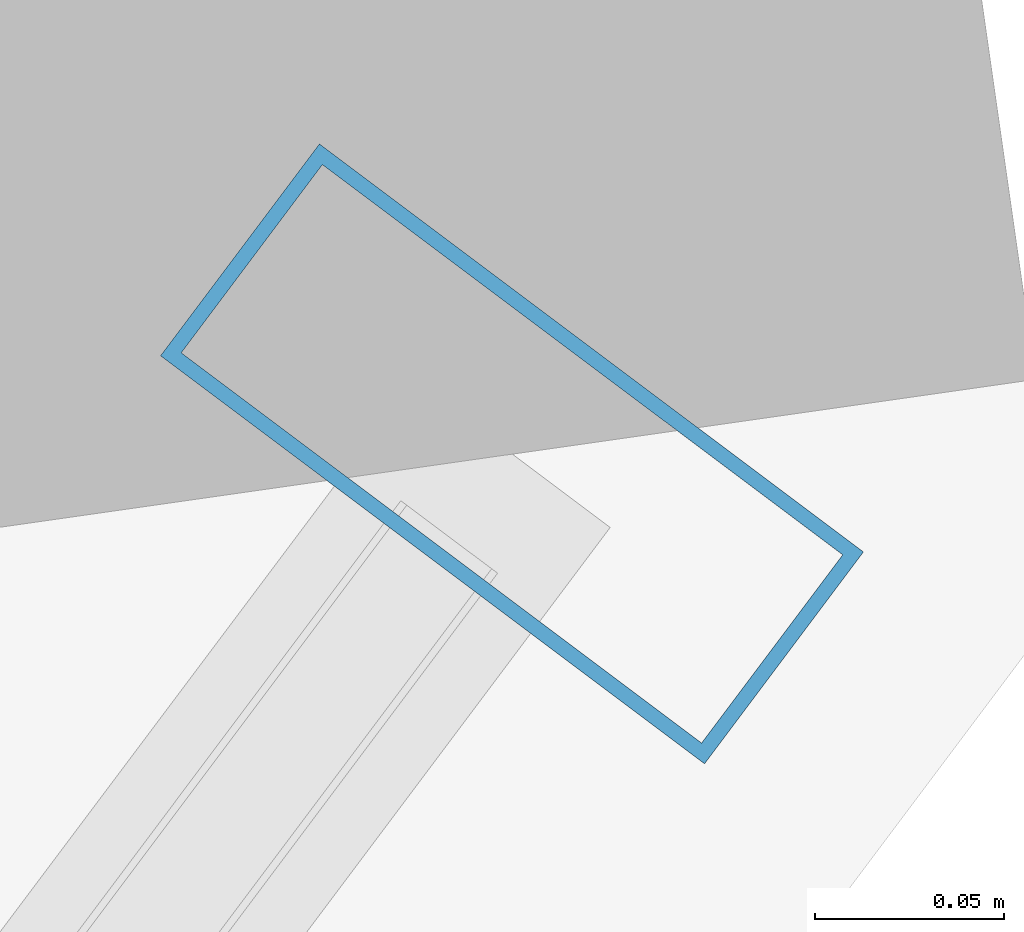
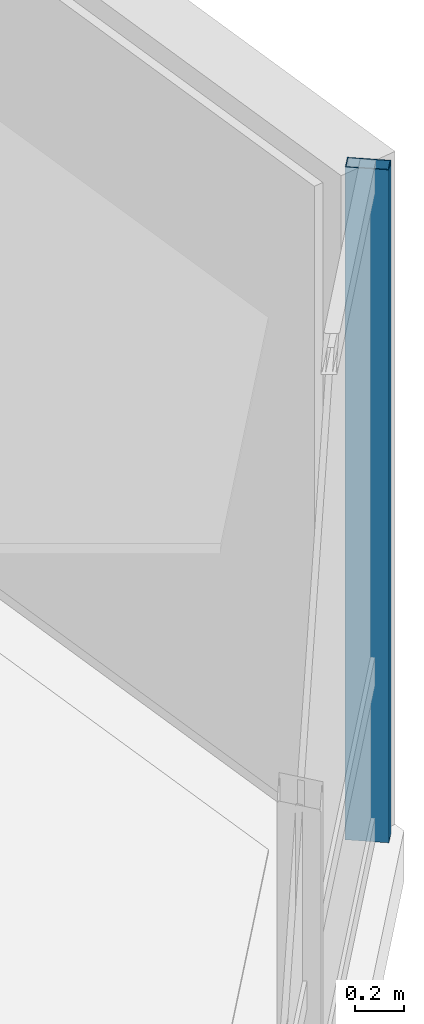
# One storey, part 16 of 26: 1 member, 1 element without a shape of its own.
"""IFC4 building model written with IfcOpenShell, lengths in metres."""

from ifc_helpers import new_model, si_unit, direction, frame, origin, origin_2d, place, context, subcontext, project, spatial, hollow_rectangle, extrude, material, layer, layer_set, material_profile, profile_set, type_object, element, aggregate, save


model = new_model("IFC4")

# Units and contexts
model_context = context("Model", 3, precision=1e-05, world=origin(), true_north=direction((0.0, 1.0)))
body_context = subcontext(model_context, "Body", "Model", "MODEL_VIEW")
ifc_project = project(units=[si_unit("LENGTHUNIT", "METRE"), si_unit("AREAUNIT", "SQUARE_METRE"), si_unit("VOLUMEUNIT", "CUBIC_METRE"), si_unit("PLANEANGLEUNIT", "RADIAN"), si_unit("MASSUNIT", "GRAM", prefix="KILO")], contexts=[model_context])

# Site, building, storey
site_placement = place(None, origin())
site = spatial("IfcSite", under=ifc_project, at=site_placement, CompositionType="ELEMENT")
building_placement = place(site_placement, origin())
building = spatial("IfcBuilding", under=site, at=building_placement, Name="Hatsunagi Terrace Concourse", CompositionType="ELEMENT")
storey_placement = place(building_placement, frame((0.0, 0.0, 134.85009765625)))
storey = spatial("IfcBuildingStorey", under=building, at=storey_placement, Name="L35", CompositionType="ELEMENT", Elevation=134.85009765625)

# Curtain wall, member
ifc_material_1 = material(Name="Anodised Aluminium Alloy 6063-T5", Category="aluminium")
ifc_layer = layer(ifc_material_1, 0.199951171875)
ifc_layer_set = layer_set([ifc_layer], Name="OfficeZone1_CW03")
curtain_wall_type = type_object("IfcCurtainWallType", Name="OfficeZone1_CW03", PredefinedType="NOTDEFINED", material=ifc_layer_set)
curtain_wall_placement = place(storey_placement, origin())
curtain_wall = element("IfcCurtainWall", 1, at=curtain_wall_placement, inside=storey, type_object=curtain_wall_type, Name="Unitised Curtain Wall CW-03 CW-L35-03", PredefinedType="NOTDEFINED")
ifc_material_2 = material(Name="Anodised Aluminium Alloy 6063-T5", Category="aluminium")
ifc_material_profile = material_profile(ifc_material_2, hollow_rectangle(XDim=0.070068359375, YDim=0.179931640625, WallThickness=0.00390625, at=origin_2d()), Name="ALU-MUL-180x70x4")
ifc_profile_set = profile_set([ifc_material_profile], Name="Anodised Aluminium Alloy 6063-T5")
member_type = type_object("IfcMemberType", Name="CurtainWallMullion_180x70", PredefinedType="MULLION", material=ifc_profile_set)
member_placement = place(storey_placement, frame((60.693115234375, 25.9580078125, 0.0), z_axis=(0.0, 0.0, 1.0), x_axis=(-0.599969314634, -0.800023013105, 0.0)))
member = element("IfcMember", 2, at=member_placement, type_object=member_type, Name="Curtain Wall Mullion MUL-02", PredefinedType="MULLION", context=body_context, shape_type="SweptSolid", body=[
    extrude(hollow_rectangle(XDim=0.070068359375, YDim=0.179931640625, WallThickness=0.00390625, at=origin_2d()), origin(), (0.0, 0.0, 1.0), 3.349853515625),
])
aggregate(curtain_wall, [member])

save(model, "model.ifc")
